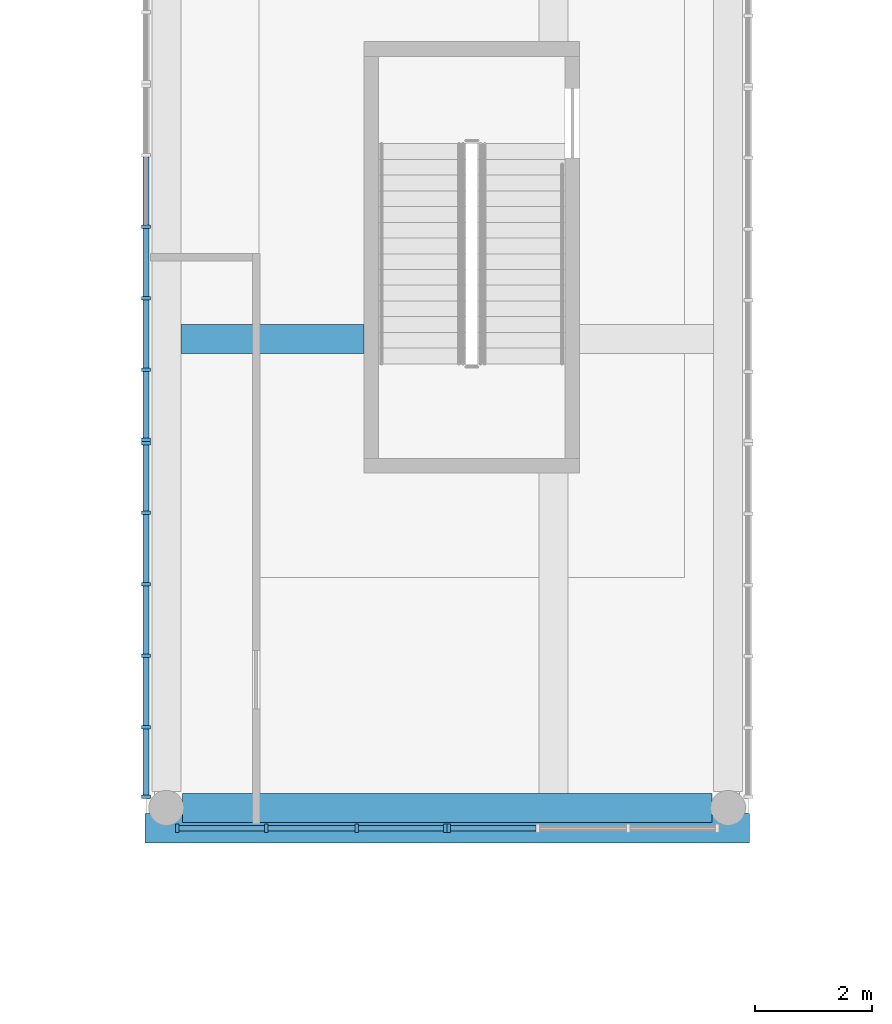
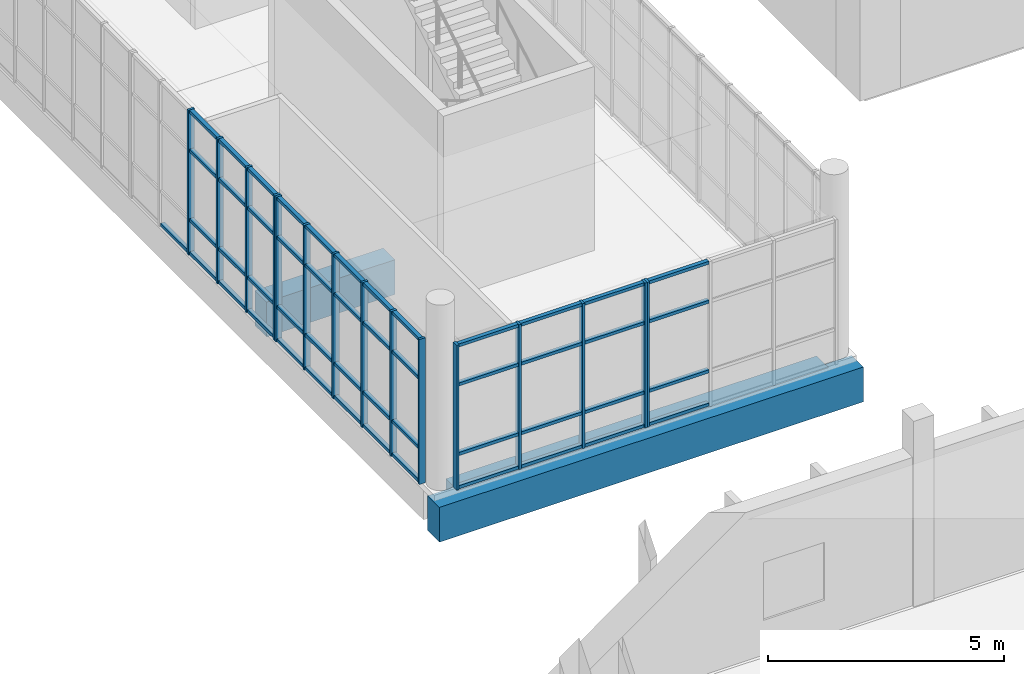
# One storey, part 5 of 119: 64 members, 3 beams, 4 elements without a shape of their own.
"""IFC4 building model written with IfcOpenShell, lengths in metres."""

from ifc_helpers import new_model, si_unit, direction, frame, origin, origin_2d, place, context, subcontext, project, spatial, rectangle, extrude, material, layer, layer_set, material_profile, profile_set, type_object, element, aggregate, save


model = new_model("IFC4")

# Units and contexts
model_context = context("Model", 3, precision=1e-05, world=origin(), true_north=direction((0.0, 1.0)))
body_context = subcontext(model_context, "Body", "Model", "MODEL_VIEW")
ifc_project = project(units=[si_unit("LENGTHUNIT", "METRE"), si_unit("AREAUNIT", "SQUARE_METRE"), si_unit("VOLUMEUNIT", "CUBIC_METRE"), si_unit("PLANEANGLEUNIT", "RADIAN"), si_unit("MASSUNIT", "GRAM", prefix="KILO")], contexts=[model_context])

# Site, building, storey
site_placement = place(None, origin())
site = spatial("IfcSite", under=ifc_project, at=site_placement, CompositionType="ELEMENT")
building_placement = place(site_placement, origin())
building = spatial("IfcBuilding", under=site, at=building_placement, Name="Larchfold Concert Hall", CompositionType="ELEMENT")
storey_placement = place(building_placement, frame((0.0, 0.0, 4.800048828125)))
storey = spatial("IfcBuildingStorey", under=building, at=storey_placement, Name="L01", CompositionType="ELEMENT", Elevation=4.800048828125)

# Curtain wall, members
ifc_material_1 = material(Name="Anodised graphite aluminium curtain wall", Category="aluminium")
ifc_layer = layer(ifc_material_1, 0.14990234375)
ifc_layer_set = layer_set([ifc_layer], Name="Anodised graphite aluminium curtain wall")
curtain_wall_type = type_object("IfcCurtainWallType", Name="Curtain wall WG", PredefinedType="NOTDEFINED", material=ifc_layer_set)
curtain_wall_1_placement = place(storey_placement, origin())
curtain_wall_1 = element("IfcCurtainWall", 1, at=curtain_wall_1_placement, inside=storey, type_object=curtain_wall_type, Name="Curtain wall CW0206", PredefinedType="NOTDEFINED")
ifc_material_2 = material(Name="Anodised graphite aluminium mullion", Category="aluminium")
ifc_material_profile_1 = material_profile(ifc_material_2, rectangle(XDim=0.14990234375, YDim=0.06005859375, at=origin_2d()))
ifc_profile_set_1 = profile_set([ifc_material_profile_1], Name="Anodised graphite aluminium mullion")
member_type_1 = type_object("IfcMemberType", Name="Aluminium mullion 60x150", PredefinedType="MULLION", material=ifc_profile_set_1)
member_1_placement = place(storey_placement, frame((10.408447265625, 44.521728515625, 0.0), z_axis=(0.0, 0.0, 1.0), x_axis=(1.0, 0.0, 0.0)))
member_1 = element("IfcMember", 2, at=member_1_placement, type_object=member_type_1, Name="CW0206 mullion 3", PredefinedType="MULLION", context=body_context, shape_type="SweptSolid", body=[
    extrude(rectangle(XDim=0.14990234375, YDim=0.06005859375, at=origin_2d()), origin(), (0.0, 0.0, 1.0), 3.75),
])
member_2_placement = place(storey_placement, frame((10.408447265625, 43.295166015625, 0.0), z_axis=(0.0, 0.0, 1.0), x_axis=(1.0, 0.0, 0.0)))
member_2 = element("IfcMember", 3, at=member_2_placement, type_object=member_type_1, Name="CW0206 mullion 4", PredefinedType="MULLION", context=body_context, shape_type="SweptSolid", body=[
    extrude(rectangle(XDim=0.14990234375, YDim=0.06005859375, at=origin_2d()), origin(), (0.0, 0.0, 1.0), 3.75),
])
member_3_placement = place(storey_placement, frame((10.408447265625, 42.068359375, 0.0), z_axis=(0.0, 0.0, 1.0), x_axis=(1.0, 0.0, 0.0)))
member_3 = element("IfcMember", 4, at=member_3_placement, type_object=member_type_1, Name="CW0206 mullion 5", PredefinedType="MULLION", context=body_context, shape_type="SweptSolid", body=[
    extrude(rectangle(XDim=0.14990234375, YDim=0.06005859375, at=origin_2d()), origin(), (0.0, 0.0, 1.0), 3.75),
])
member_4_placement = place(storey_placement, frame((10.408447265625, 40.871826171875, 0.0), z_axis=(0.0, 0.0, 1.0), x_axis=(1.0, 0.0, 0.0)))
member_4 = element("IfcMember", 5, at=member_4_placement, type_object=member_type_1, Name="CW0206 mullion 6", PredefinedType="MULLION", context=body_context, shape_type="SweptSolid", body=[
    extrude(rectangle(XDim=0.14990234375, YDim=0.06005859375, at=origin_2d()), origin(), (0.0, 0.0, 1.0), 3.75),
])

curtain_wall_2_placement = place(storey_placement, origin())
curtain_wall_2 = element("IfcCurtainWall", 6, at=curtain_wall_2_placement, inside=storey, type_object=curtain_wall_type, Name="Curtain wall CW0207", PredefinedType="NOTDEFINED")
member_5_placement = place(storey_placement, frame((10.408447265625, 40.811767578125, 0.0), z_axis=(0.0, 0.0, 1.0), x_axis=(1.0, 0.0, 0.0)))
member_5 = element("IfcMember", 7, at=member_5_placement, type_object=member_type_1, Name="CW0207 mullion 1", PredefinedType="MULLION", context=body_context, shape_type="SweptSolid", body=[
    extrude(rectangle(XDim=0.14990234375, YDim=0.06005859375, at=origin_2d()), origin(), (0.0, 0.0, 1.0), 3.75),
])
member_6_placement = place(storey_placement, frame((10.408447265625, 39.615234375, 0.0), z_axis=(0.0, 0.0, 1.0), x_axis=(1.0, 0.0, 0.0)))
member_6 = element("IfcMember", 8, at=member_6_placement, type_object=member_type_1, Name="CW0207 mullion 2", PredefinedType="MULLION", context=body_context, shape_type="SweptSolid", body=[
    extrude(rectangle(XDim=0.14990234375, YDim=0.06005859375, at=origin_2d()), origin(), (0.0, 0.0, 1.0), 3.75),
])
member_7_placement = place(storey_placement, frame((10.408447265625, 38.388671875, 0.0), z_axis=(0.0, 0.0, 1.0), x_axis=(1.0, 0.0, 0.0)))
member_7 = element("IfcMember", 9, at=member_7_placement, type_object=member_type_1, Name="CW0207 mullion 3", PredefinedType="MULLION", context=body_context, shape_type="SweptSolid", body=[
    extrude(rectangle(XDim=0.14990234375, YDim=0.06005859375, at=origin_2d()), origin(), (0.0, 0.0, 1.0), 3.75),
])
member_8_placement = place(storey_placement, frame((10.408447265625, 37.161865234375, 0.0), z_axis=(0.0, 0.0, 1.0), x_axis=(1.0, 0.0, 0.0)))
member_8 = element("IfcMember", 10, at=member_8_placement, type_object=member_type_1, Name="CW0207 mullion 4", PredefinedType="MULLION", context=body_context, shape_type="SweptSolid", body=[
    extrude(rectangle(XDim=0.14990234375, YDim=0.06005859375, at=origin_2d()), origin(), (0.0, 0.0, 1.0), 3.75),
])
member_9_placement = place(storey_placement, frame((10.408447265625, 35.935302734375, 0.0), z_axis=(0.0, 0.0, 1.0), x_axis=(1.0, 0.0, 0.0)))
member_9 = element("IfcMember", 11, at=member_9_placement, type_object=member_type_1, Name="CW0207 mullion 5", PredefinedType="MULLION", context=body_context, shape_type="SweptSolid", body=[
    extrude(rectangle(XDim=0.14990234375, YDim=0.06005859375, at=origin_2d()), origin(), (0.0, 0.0, 1.0), 3.75),
])
member_10_placement = place(storey_placement, frame((10.408447265625, 34.73876953125, 0.0), z_axis=(0.0, 0.0, 1.0), x_axis=(1.0, 0.0, 0.0)))
member_10 = element("IfcMember", 12, at=member_10_placement, type_object=member_type_1, Name="CW0207 mullion 6", PredefinedType="MULLION", context=body_context, shape_type="SweptSolid", body=[
    extrude(rectangle(XDim=0.14990234375, YDim=0.06005859375, at=origin_2d()), origin(), (0.0, 0.0, 1.0), 3.75),
])

curtain_wall_3_placement = place(storey_placement, origin())
curtain_wall_3 = element("IfcCurtainWall", 13, at=curtain_wall_3_placement, inside=storey, type_object=curtain_wall_type, Name="Curtain wall CW0208", PredefinedType="NOTDEFINED")
member_11_placement = place(storey_placement, frame((10.945556640625, 34.199951171875, 0.0), z_axis=(0.0, 0.0, 1.0), x_axis=(0.0, 1.0, 0.0)))
member_11 = element("IfcMember", 14, at=member_11_placement, type_object=member_type_1, Name="CW0208 mullion 1", PredefinedType="MULLION", context=body_context, shape_type="SweptSolid", body=[
    extrude(rectangle(XDim=0.14990234375, YDim=0.06005859375, at=origin_2d()), origin(), (0.0, 0.0, 1.0), 3.75),
])
member_12_placement = place(storey_placement, frame((12.469970703125, 34.199951171875, 0.0), z_axis=(0.0, 0.0, 1.0), x_axis=(0.0, 1.0, 0.0)))
member_12 = element("IfcMember", 15, at=member_12_placement, type_object=member_type_1, Name="CW0208 mullion 2", PredefinedType="MULLION", context=body_context, shape_type="SweptSolid", body=[
    extrude(rectangle(XDim=0.14990234375, YDim=0.06005859375, at=origin_2d()), origin(), (0.0, 0.0, 1.0), 3.75),
])
member_13_placement = place(storey_placement, frame((14.024169921875, 34.199951171875, 0.0), z_axis=(0.0, 0.0, 1.0), x_axis=(0.0, 1.0, 0.0)))
member_13 = element("IfcMember", 16, at=member_13_placement, type_object=member_type_1, Name="CW0208 mullion 3", PredefinedType="MULLION", context=body_context, shape_type="SweptSolid", body=[
    extrude(rectangle(XDim=0.14990234375, YDim=0.06005859375, at=origin_2d()), origin(), (0.0, 0.0, 1.0), 3.75),
])
member_14_placement = place(storey_placement, frame((15.548583984375, 34.199951171875, 0.0), z_axis=(0.0, 0.0, 1.0), x_axis=(0.0, 1.0, 0.0)))
member_14 = element("IfcMember", 17, at=member_14_placement, type_object=member_type_1, Name="CW0208 mullion 4", PredefinedType="MULLION", context=body_context, shape_type="SweptSolid", body=[
    extrude(rectangle(XDim=0.14990234375, YDim=0.06005859375, at=origin_2d()), origin(), (0.0, 0.0, 1.0), 3.75),
])

# Curtain wall, member
curtain_wall_4_placement = place(storey_placement, origin())
curtain_wall_4 = element("IfcCurtainWall", 18, at=curtain_wall_4_placement, inside=storey, type_object=curtain_wall_type, Name="Curtain wall CW0209", PredefinedType="NOTDEFINED")
member_15_placement = place(storey_placement, frame((15.608642578125, 34.199951171875, 0.0), z_axis=(0.0, 0.0, 1.0), x_axis=(0.0, 1.0, 0.0)))
member_15 = element("IfcMember", 19, at=member_15_placement, type_object=member_type_1, Name="CW0209 mullion 1", PredefinedType="MULLION", context=body_context, shape_type="SweptSolid", body=[
    extrude(rectangle(XDim=0.14990234375, YDim=0.06005859375, at=origin_2d()), origin(), (0.0, 0.0, 1.0), 3.75),
])

# Member
ifc_material_3 = material(Name="Anodised graphite aluminium transom", Category="aluminium")
ifc_material_profile_2 = material_profile(ifc_material_3, rectangle(XDim=0.10009765625, YDim=0.080078125, at=origin_2d()))
ifc_profile_set_2 = profile_set([ifc_material_profile_2], Name="Anodised graphite aluminium transom")
member_type_2 = type_object("IfcMemberType", Name="Aluminium transom 80x100", PredefinedType="USERDEFINED", material=ifc_profile_set_2)
member_16_placement = place(storey_placement, frame((10.408447265625, 45.718505859375, 0.0400390625), z_axis=(0.0, -1.0, 0.0), x_axis=(1.0, 0.0, 0.0)))
member_16 = element("IfcMember", 20, at=member_16_placement, type_object=member_type_2, Name="CW0206 transom 2.1", ObjectType="TRANSOM", PredefinedType="USERDEFINED", context=body_context, shape_type="SweptSolid", body=[
    extrude(rectangle(XDim=0.10009765625, YDim=0.080078125, at=origin_2d()), origin(), (0.0, 0.0, 1.0), 1.166748046875),
])

member_17_placement = place(storey_placement, frame((10.408447265625, 44.49169921875, 0.0400390625), z_axis=(0.0, -1.0, 0.0), x_axis=(1.0, 0.0, 0.0)))
member_17 = element("IfcMember", 21, at=member_17_placement, type_object=member_type_2, Name="CW0206 transom 3.1", ObjectType="TRANSOM", PredefinedType="USERDEFINED", context=body_context, shape_type="SweptSolid", body=[
    extrude(rectangle(XDim=0.10009765625, YDim=0.080078125, at=origin_2d()), origin(), (0.0, 0.0, 1.0), 1.16650390625),
])

member_18_placement = place(storey_placement, frame((10.408447265625, 44.49169921875, 0.89990234375), z_axis=(0.0, -1.0, 0.0), x_axis=(1.0, 0.0, 0.0)))
member_18 = element("IfcMember", 22, at=member_18_placement, type_object=member_type_2, Name="CW0206 transom 3.2", ObjectType="TRANSOM", PredefinedType="USERDEFINED", context=body_context, shape_type="SweptSolid", body=[
    extrude(rectangle(XDim=0.10009765625, YDim=0.080078125, at=origin_2d()), origin(), (0.0, 0.0, 1.0), 1.16650390625),
])

member_19_placement = place(storey_placement, frame((10.408447265625, 44.49169921875, 2.699951171875), z_axis=(0.0, -1.0, 0.0), x_axis=(1.0, 0.0, 0.0)))
member_19 = element("IfcMember", 23, at=member_19_placement, type_object=member_type_2, Name="CW0206 transom 3.3", ObjectType="TRANSOM", PredefinedType="USERDEFINED", context=body_context, shape_type="SweptSolid", body=[
    extrude(rectangle(XDim=0.10009765625, YDim=0.080078125, at=origin_2d()), origin(), (0.0, 0.0, 1.0), 1.16650390625),
])

member_20_placement = place(storey_placement, frame((10.408447265625, 44.49169921875, 3.7099609375), z_axis=(0.0, -1.0, 0.0), x_axis=(1.0, 0.0, 0.0)))
member_20 = element("IfcMember", 24, at=member_20_placement, type_object=member_type_2, Name="CW0206 transom 3.4", ObjectType="TRANSOM", PredefinedType="USERDEFINED", context=body_context, shape_type="SweptSolid", body=[
    extrude(rectangle(XDim=0.10009765625, YDim=0.080078125, at=origin_2d()), origin(), (0.0, 0.0, 1.0), 1.16650390625),
])

member_21_placement = place(storey_placement, frame((10.408447265625, 43.26513671875, 0.0400390625), z_axis=(0.0, -1.0, 0.0), x_axis=(1.0, 0.0, 0.0)))
member_21 = element("IfcMember", 25, at=member_21_placement, type_object=member_type_2, Name="CW0206 transom 4.1", ObjectType="TRANSOM", PredefinedType="USERDEFINED", context=body_context, shape_type="SweptSolid", body=[
    extrude(rectangle(XDim=0.10009765625, YDim=0.080078125, at=origin_2d()), origin(), (0.0, 0.0, 1.0), 1.166748046875),
])

member_22_placement = place(storey_placement, frame((10.408447265625, 43.26513671875, 0.89990234375), z_axis=(0.0, -1.0, 0.0), x_axis=(1.0, 0.0, 0.0)))
member_22 = element("IfcMember", 26, at=member_22_placement, type_object=member_type_2, Name="CW0206 transom 4.2", ObjectType="TRANSOM", PredefinedType="USERDEFINED", context=body_context, shape_type="SweptSolid", body=[
    extrude(rectangle(XDim=0.10009765625, YDim=0.080078125, at=origin_2d()), origin(), (0.0, 0.0, 1.0), 1.166748046875),
])

member_23_placement = place(storey_placement, frame((10.408447265625, 43.26513671875, 2.699951171875), z_axis=(0.0, -1.0, 0.0), x_axis=(1.0, 0.0, 0.0)))
member_23 = element("IfcMember", 27, at=member_23_placement, type_object=member_type_2, Name="CW0206 transom 4.3", ObjectType="TRANSOM", PredefinedType="USERDEFINED", context=body_context, shape_type="SweptSolid", body=[
    extrude(rectangle(XDim=0.10009765625, YDim=0.080078125, at=origin_2d()), origin(), (0.0, 0.0, 1.0), 1.166748046875),
])

member_24_placement = place(storey_placement, frame((10.408447265625, 43.26513671875, 3.7099609375), z_axis=(0.0, -1.0, 0.0), x_axis=(1.0, 0.0, 0.0)))
member_24 = element("IfcMember", 28, at=member_24_placement, type_object=member_type_2, Name="CW0206 transom 4.4", ObjectType="TRANSOM", PredefinedType="USERDEFINED", context=body_context, shape_type="SweptSolid", body=[
    extrude(rectangle(XDim=0.10009765625, YDim=0.080078125, at=origin_2d()), origin(), (0.0, 0.0, 1.0), 1.166748046875),
])

member_25_placement = place(storey_placement, frame((10.408447265625, 42.03857421875, 0.0400390625), z_axis=(0.0, -1.0, 0.0), x_axis=(1.0, 0.0, 0.0)))
member_25 = element("IfcMember", 29, at=member_25_placement, type_object=member_type_2, Name="CW0206 transom 5.1", ObjectType="TRANSOM", PredefinedType="USERDEFINED", context=body_context, shape_type="SweptSolid", body=[
    extrude(rectangle(XDim=0.10009765625, YDim=0.080078125, at=origin_2d()), origin(), (0.0, 0.0, 1.0), 1.13671875),
])

member_26_placement = place(storey_placement, frame((10.408447265625, 42.03857421875, 0.89990234375), z_axis=(0.0, -1.0, 0.0), x_axis=(1.0, 0.0, 0.0)))
member_26 = element("IfcMember", 30, at=member_26_placement, type_object=member_type_2, Name="CW0206 transom 5.2", ObjectType="TRANSOM", PredefinedType="USERDEFINED", context=body_context, shape_type="SweptSolid", body=[
    extrude(rectangle(XDim=0.10009765625, YDim=0.080078125, at=origin_2d()), origin(), (0.0, 0.0, 1.0), 1.13671875),
])

member_27_placement = place(storey_placement, frame((10.408447265625, 42.03857421875, 2.699951171875), z_axis=(0.0, -1.0, 0.0), x_axis=(1.0, 0.0, 0.0)))
member_27 = element("IfcMember", 31, at=member_27_placement, type_object=member_type_2, Name="CW0206 transom 5.3", ObjectType="TRANSOM", PredefinedType="USERDEFINED", context=body_context, shape_type="SweptSolid", body=[
    extrude(rectangle(XDim=0.10009765625, YDim=0.080078125, at=origin_2d()), origin(), (0.0, 0.0, 1.0), 1.13671875),
])

member_28_placement = place(storey_placement, frame((10.408447265625, 42.03857421875, 3.7099609375), z_axis=(0.0, -1.0, 0.0), x_axis=(1.0, 0.0, 0.0)))
member_28 = element("IfcMember", 32, at=member_28_placement, type_object=member_type_2, Name="CW0206 transom 5.4", ObjectType="TRANSOM", PredefinedType="USERDEFINED", context=body_context, shape_type="SweptSolid", body=[
    extrude(rectangle(XDim=0.10009765625, YDim=0.080078125, at=origin_2d()), origin(), (0.0, 0.0, 1.0), 1.13671875),
])

aggregate(curtain_wall_1, [member_1, member_2, member_3, member_4, member_16, member_17, member_18, member_19, member_20, member_21, member_22, member_23, member_24, member_25, member_26, member_27, member_28])

member_29_placement = place(storey_placement, frame((10.408447265625, 40.78173828125, 0.0400390625), z_axis=(0.0, -1.0, 0.0), x_axis=(1.0, 0.0, 0.0)))
member_29 = element("IfcMember", 33, at=member_29_placement, type_object=member_type_2, Name="CW0207 transom 1.1", ObjectType="TRANSOM", PredefinedType="USERDEFINED", context=body_context, shape_type="SweptSolid", body=[
    extrude(rectangle(XDim=0.10009765625, YDim=0.080078125, at=origin_2d()), origin(), (0.0, 0.0, 1.0), 1.136474609375),
])

member_30_placement = place(storey_placement, frame((10.408447265625, 40.78173828125, 0.89990234375), z_axis=(0.0, -1.0, 0.0), x_axis=(1.0, 0.0, 0.0)))
member_30 = element("IfcMember", 34, at=member_30_placement, type_object=member_type_2, Name="CW0207 transom 1.2", ObjectType="TRANSOM", PredefinedType="USERDEFINED", context=body_context, shape_type="SweptSolid", body=[
    extrude(rectangle(XDim=0.10009765625, YDim=0.080078125, at=origin_2d()), origin(), (0.0, 0.0, 1.0), 1.136474609375),
])

member_31_placement = place(storey_placement, frame((10.408447265625, 40.78173828125, 2.699951171875), z_axis=(0.0, -1.0, 0.0), x_axis=(1.0, 0.0, 0.0)))
member_31 = element("IfcMember", 35, at=member_31_placement, type_object=member_type_2, Name="CW0207 transom 1.3", ObjectType="TRANSOM", PredefinedType="USERDEFINED", context=body_context, shape_type="SweptSolid", body=[
    extrude(rectangle(XDim=0.10009765625, YDim=0.080078125, at=origin_2d()), origin(), (0.0, 0.0, 1.0), 1.136474609375),
])

member_32_placement = place(storey_placement, frame((10.408447265625, 40.78173828125, 3.7099609375), z_axis=(0.0, -1.0, 0.0), x_axis=(1.0, 0.0, 0.0)))
member_32 = element("IfcMember", 36, at=member_32_placement, type_object=member_type_2, Name="CW0207 transom 1.4", ObjectType="TRANSOM", PredefinedType="USERDEFINED", context=body_context, shape_type="SweptSolid", body=[
    extrude(rectangle(XDim=0.10009765625, YDim=0.080078125, at=origin_2d()), origin(), (0.0, 0.0, 1.0), 1.136474609375),
])

member_33_placement = place(storey_placement, frame((10.408447265625, 39.585205078125, 0.0400390625), z_axis=(0.0, -1.0, 0.0), x_axis=(1.0, 0.0, 0.0)))
member_33 = element("IfcMember", 37, at=member_33_placement, type_object=member_type_2, Name="CW0207 transom 2.1", ObjectType="TRANSOM", PredefinedType="USERDEFINED", context=body_context, shape_type="SweptSolid", body=[
    extrude(rectangle(XDim=0.10009765625, YDim=0.080078125, at=origin_2d()), origin(), (0.0, 0.0, 1.0), 1.166748046875),
])

member_34_placement = place(storey_placement, frame((10.408447265625, 39.585205078125, 0.89990234375), z_axis=(0.0, -1.0, 0.0), x_axis=(1.0, 0.0, 0.0)))
member_34 = element("IfcMember", 38, at=member_34_placement, type_object=member_type_2, Name="CW0207 transom 2.2", ObjectType="TRANSOM", PredefinedType="USERDEFINED", context=body_context, shape_type="SweptSolid", body=[
    extrude(rectangle(XDim=0.10009765625, YDim=0.080078125, at=origin_2d()), origin(), (0.0, 0.0, 1.0), 1.166748046875),
])

member_35_placement = place(storey_placement, frame((10.408447265625, 39.585205078125, 2.699951171875), z_axis=(0.0, -1.0, 0.0), x_axis=(1.0, 0.0, 0.0)))
member_35 = element("IfcMember", 39, at=member_35_placement, type_object=member_type_2, Name="CW0207 transom 2.3", ObjectType="TRANSOM", PredefinedType="USERDEFINED", context=body_context, shape_type="SweptSolid", body=[
    extrude(rectangle(XDim=0.10009765625, YDim=0.080078125, at=origin_2d()), origin(), (0.0, 0.0, 1.0), 1.166748046875),
])

member_36_placement = place(storey_placement, frame((10.408447265625, 39.585205078125, 3.7099609375), z_axis=(0.0, -1.0, 0.0), x_axis=(1.0, 0.0, 0.0)))
member_36 = element("IfcMember", 40, at=member_36_placement, type_object=member_type_2, Name="CW0207 transom 2.4", ObjectType="TRANSOM", PredefinedType="USERDEFINED", context=body_context, shape_type="SweptSolid", body=[
    extrude(rectangle(XDim=0.10009765625, YDim=0.080078125, at=origin_2d()), origin(), (0.0, 0.0, 1.0), 1.166748046875),
])

member_37_placement = place(storey_placement, frame((10.408447265625, 38.358642578125, 0.0400390625), z_axis=(0.0, -1.0, 0.0), x_axis=(1.0, 0.0, 0.0)))
member_37 = element("IfcMember", 41, at=member_37_placement, type_object=member_type_2, Name="CW0207 transom 3.1", ObjectType="TRANSOM", PredefinedType="USERDEFINED", context=body_context, shape_type="SweptSolid", body=[
    extrude(rectangle(XDim=0.10009765625, YDim=0.080078125, at=origin_2d()), origin(), (0.0, 0.0, 1.0), 1.166748046875),
])

member_38_placement = place(storey_placement, frame((10.408447265625, 38.358642578125, 0.89990234375), z_axis=(0.0, -1.0, 0.0), x_axis=(1.0, 0.0, 0.0)))
member_38 = element("IfcMember", 42, at=member_38_placement, type_object=member_type_2, Name="CW0207 transom 3.2", ObjectType="TRANSOM", PredefinedType="USERDEFINED", context=body_context, shape_type="SweptSolid", body=[
    extrude(rectangle(XDim=0.10009765625, YDim=0.080078125, at=origin_2d()), origin(), (0.0, 0.0, 1.0), 1.166748046875),
])

member_39_placement = place(storey_placement, frame((10.408447265625, 38.358642578125, 2.699951171875), z_axis=(0.0, -1.0, 0.0), x_axis=(1.0, 0.0, 0.0)))
member_39 = element("IfcMember", 43, at=member_39_placement, type_object=member_type_2, Name="CW0207 transom 3.3", ObjectType="TRANSOM", PredefinedType="USERDEFINED", context=body_context, shape_type="SweptSolid", body=[
    extrude(rectangle(XDim=0.10009765625, YDim=0.080078125, at=origin_2d()), origin(), (0.0, 0.0, 1.0), 1.166748046875),
])

member_40_placement = place(storey_placement, frame((10.408447265625, 38.358642578125, 3.7099609375), z_axis=(0.0, -1.0, 0.0), x_axis=(1.0, 0.0, 0.0)))
member_40 = element("IfcMember", 44, at=member_40_placement, type_object=member_type_2, Name="CW0207 transom 3.4", ObjectType="TRANSOM", PredefinedType="USERDEFINED", context=body_context, shape_type="SweptSolid", body=[
    extrude(rectangle(XDim=0.10009765625, YDim=0.080078125, at=origin_2d()), origin(), (0.0, 0.0, 1.0), 1.166748046875),
])

member_41_placement = place(storey_placement, frame((10.408447265625, 37.132080078125, 0.0400390625), z_axis=(0.0, -1.0, 0.0), x_axis=(1.0, 0.0, 0.0)))
member_41 = element("IfcMember", 45, at=member_41_placement, type_object=member_type_2, Name="CW0207 transom 4.1", ObjectType="TRANSOM", PredefinedType="USERDEFINED", context=body_context, shape_type="SweptSolid", body=[
    extrude(rectangle(XDim=0.10009765625, YDim=0.080078125, at=origin_2d()), origin(), (0.0, 0.0, 1.0), 1.166748046875),
])

member_42_placement = place(storey_placement, frame((10.408447265625, 37.132080078125, 0.89990234375), z_axis=(0.0, -1.0, 0.0), x_axis=(1.0, 0.0, 0.0)))
member_42 = element("IfcMember", 46, at=member_42_placement, type_object=member_type_2, Name="CW0207 transom 4.2", ObjectType="TRANSOM", PredefinedType="USERDEFINED", context=body_context, shape_type="SweptSolid", body=[
    extrude(rectangle(XDim=0.10009765625, YDim=0.080078125, at=origin_2d()), origin(), (0.0, 0.0, 1.0), 1.166748046875),
])

member_43_placement = place(storey_placement, frame((10.408447265625, 37.132080078125, 2.699951171875), z_axis=(0.0, -1.0, 0.0), x_axis=(1.0, 0.0, 0.0)))
member_43 = element("IfcMember", 47, at=member_43_placement, type_object=member_type_2, Name="CW0207 transom 4.3", ObjectType="TRANSOM", PredefinedType="USERDEFINED", context=body_context, shape_type="SweptSolid", body=[
    extrude(rectangle(XDim=0.10009765625, YDim=0.080078125, at=origin_2d()), origin(), (0.0, 0.0, 1.0), 1.166748046875),
])

member_44_placement = place(storey_placement, frame((10.408447265625, 37.132080078125, 3.7099609375), z_axis=(0.0, -1.0, 0.0), x_axis=(1.0, 0.0, 0.0)))
member_44 = element("IfcMember", 48, at=member_44_placement, type_object=member_type_2, Name="CW0207 transom 4.4", ObjectType="TRANSOM", PredefinedType="USERDEFINED", context=body_context, shape_type="SweptSolid", body=[
    extrude(rectangle(XDim=0.10009765625, YDim=0.080078125, at=origin_2d()), origin(), (0.0, 0.0, 1.0), 1.166748046875),
])

member_45_placement = place(storey_placement, frame((10.408447265625, 35.9052734375, 0.0400390625), z_axis=(0.0, -1.0, 0.0), x_axis=(1.0, 0.0, 0.0)))
member_45 = element("IfcMember", 49, at=member_45_placement, type_object=member_type_2, Name="CW0207 transom 5.1", ObjectType="TRANSOM", PredefinedType="USERDEFINED", context=body_context, shape_type="SweptSolid", body=[
    extrude(rectangle(XDim=0.10009765625, YDim=0.080078125, at=origin_2d()), origin(), (0.0, 0.0, 1.0), 1.136474609375),
])

member_46_placement = place(storey_placement, frame((10.408447265625, 35.9052734375, 0.89990234375), z_axis=(0.0, -1.0, 0.0), x_axis=(1.0, 0.0, 0.0)))
member_46 = element("IfcMember", 50, at=member_46_placement, type_object=member_type_2, Name="CW0207 transom 5.2", ObjectType="TRANSOM", PredefinedType="USERDEFINED", context=body_context, shape_type="SweptSolid", body=[
    extrude(rectangle(XDim=0.10009765625, YDim=0.080078125, at=origin_2d()), origin(), (0.0, 0.0, 1.0), 1.136474609375),
])

member_47_placement = place(storey_placement, frame((10.408447265625, 35.9052734375, 2.699951171875), z_axis=(0.0, -1.0, 0.0), x_axis=(1.0, 0.0, 0.0)))
member_47 = element("IfcMember", 51, at=member_47_placement, type_object=member_type_2, Name="CW0207 transom 5.3", ObjectType="TRANSOM", PredefinedType="USERDEFINED", context=body_context, shape_type="SweptSolid", body=[
    extrude(rectangle(XDim=0.10009765625, YDim=0.080078125, at=origin_2d()), origin(), (0.0, 0.0, 1.0), 1.136474609375),
])

member_48_placement = place(storey_placement, frame((10.408447265625, 35.9052734375, 3.7099609375), z_axis=(0.0, -1.0, 0.0), x_axis=(1.0, 0.0, 0.0)))
member_48 = element("IfcMember", 52, at=member_48_placement, type_object=member_type_2, Name="CW0207 transom 5.4", ObjectType="TRANSOM", PredefinedType="USERDEFINED", context=body_context, shape_type="SweptSolid", body=[
    extrude(rectangle(XDim=0.10009765625, YDim=0.080078125, at=origin_2d()), origin(), (0.0, 0.0, 1.0), 1.136474609375),
])

aggregate(curtain_wall_2, [member_5, member_6, member_7, member_8, member_9, member_10, member_29, member_30, member_31, member_32, member_33, member_34, member_35, member_36, member_37, member_38, member_39, member_40, member_41, member_42, member_43, member_44, member_45, member_46, member_47, member_48])

member_49_placement = place(storey_placement, frame((10.9755859375, 34.199951171875, 0.0400390625), z_axis=(1.0, 0.0, 0.0), x_axis=(0.0, 1.0, 0.0)))
member_49 = element("IfcMember", 53, at=member_49_placement, type_object=member_type_2, Name="CW0208 transom 1.1", ObjectType="TRANSOM", PredefinedType="USERDEFINED", context=body_context, shape_type="SweptSolid", body=[
    extrude(rectangle(XDim=0.10009765625, YDim=0.080078125, at=origin_2d()), origin(), (0.0, 0.0, 1.0), 1.46435546875),
])

member_50_placement = place(storey_placement, frame((10.9755859375, 34.199951171875, 0.89990234375), z_axis=(1.0, 0.0, 0.0), x_axis=(0.0, 1.0, 0.0)))
member_50 = element("IfcMember", 54, at=member_50_placement, type_object=member_type_2, Name="CW0208 transom 1.2", ObjectType="TRANSOM", PredefinedType="USERDEFINED", context=body_context, shape_type="SweptSolid", body=[
    extrude(rectangle(XDim=0.10009765625, YDim=0.080078125, at=origin_2d()), origin(), (0.0, 0.0, 1.0), 1.46435546875),
])

member_51_placement = place(storey_placement, frame((10.9755859375, 34.199951171875, 2.699951171875), z_axis=(1.0, 0.0, 0.0), x_axis=(0.0, 1.0, 0.0)))
member_51 = element("IfcMember", 55, at=member_51_placement, type_object=member_type_2, Name="CW0208 transom 1.3", ObjectType="TRANSOM", PredefinedType="USERDEFINED", context=body_context, shape_type="SweptSolid", body=[
    extrude(rectangle(XDim=0.10009765625, YDim=0.080078125, at=origin_2d()), origin(), (0.0, 0.0, 1.0), 1.46435546875),
])

member_52_placement = place(storey_placement, frame((10.9755859375, 34.199951171875, 3.7099609375), z_axis=(1.0, 0.0, 0.0), x_axis=(0.0, 1.0, 0.0)))
member_52 = element("IfcMember", 56, at=member_52_placement, type_object=member_type_2, Name="CW0208 transom 1.4", ObjectType="TRANSOM", PredefinedType="USERDEFINED", context=body_context, shape_type="SweptSolid", body=[
    extrude(rectangle(XDim=0.10009765625, YDim=0.080078125, at=origin_2d()), origin(), (0.0, 0.0, 1.0), 1.46435546875),
])

member_53_placement = place(storey_placement, frame((12.5, 34.199951171875, 0.0400390625), z_axis=(1.0, 0.0, 0.0), x_axis=(0.0, 1.0, 0.0)))
member_53 = element("IfcMember", 57, at=member_53_placement, type_object=member_type_2, Name="CW0208 transom 2.1", ObjectType="TRANSOM", PredefinedType="USERDEFINED", context=body_context, shape_type="SweptSolid", body=[
    extrude(rectangle(XDim=0.10009765625, YDim=0.080078125, at=origin_2d()), origin(), (0.0, 0.0, 1.0), 1.494140625),
])

member_54_placement = place(storey_placement, frame((12.5, 34.199951171875, 0.89990234375), z_axis=(1.0, 0.0, 0.0), x_axis=(0.0, 1.0, 0.0)))
member_54 = element("IfcMember", 58, at=member_54_placement, type_object=member_type_2, Name="CW0208 transom 2.2", ObjectType="TRANSOM", PredefinedType="USERDEFINED", context=body_context, shape_type="SweptSolid", body=[
    extrude(rectangle(XDim=0.10009765625, YDim=0.080078125, at=origin_2d()), origin(), (0.0, 0.0, 1.0), 1.494140625),
])

member_55_placement = place(storey_placement, frame((12.5, 34.199951171875, 2.699951171875), z_axis=(1.0, 0.0, 0.0), x_axis=(0.0, 1.0, 0.0)))
member_55 = element("IfcMember", 59, at=member_55_placement, type_object=member_type_2, Name="CW0208 transom 2.3", ObjectType="TRANSOM", PredefinedType="USERDEFINED", context=body_context, shape_type="SweptSolid", body=[
    extrude(rectangle(XDim=0.10009765625, YDim=0.080078125, at=origin_2d()), origin(), (0.0, 0.0, 1.0), 1.494140625),
])

member_56_placement = place(storey_placement, frame((12.5, 34.199951171875, 3.7099609375), z_axis=(1.0, 0.0, 0.0), x_axis=(0.0, 1.0, 0.0)))
member_56 = element("IfcMember", 60, at=member_56_placement, type_object=member_type_2, Name="CW0208 transom 2.4", ObjectType="TRANSOM", PredefinedType="USERDEFINED", context=body_context, shape_type="SweptSolid", body=[
    extrude(rectangle(XDim=0.10009765625, YDim=0.080078125, at=origin_2d()), origin(), (0.0, 0.0, 1.0), 1.494140625),
])

member_57_placement = place(storey_placement, frame((14.05419921875, 34.199951171875, 0.0400390625), z_axis=(1.0, 0.0, 0.0), x_axis=(0.0, 1.0, 0.0)))
member_57 = element("IfcMember", 61, at=member_57_placement, type_object=member_type_2, Name="CW0208 transom 3.1", ObjectType="TRANSOM", PredefinedType="USERDEFINED", context=body_context, shape_type="SweptSolid", body=[
    extrude(rectangle(XDim=0.10009765625, YDim=0.080078125, at=origin_2d()), origin(), (0.0, 0.0, 1.0), 1.46435546875),
])

member_58_placement = place(storey_placement, frame((14.05419921875, 34.199951171875, 0.89990234375), z_axis=(1.0, 0.0, 0.0), x_axis=(0.0, 1.0, 0.0)))
member_58 = element("IfcMember", 62, at=member_58_placement, type_object=member_type_2, Name="CW0208 transom 3.2", ObjectType="TRANSOM", PredefinedType="USERDEFINED", context=body_context, shape_type="SweptSolid", body=[
    extrude(rectangle(XDim=0.10009765625, YDim=0.080078125, at=origin_2d()), origin(), (0.0, 0.0, 1.0), 1.46435546875),
])

member_59_placement = place(storey_placement, frame((14.05419921875, 34.199951171875, 2.699951171875), z_axis=(1.0, 0.0, 0.0), x_axis=(0.0, 1.0, 0.0)))
member_59 = element("IfcMember", 63, at=member_59_placement, type_object=member_type_2, Name="CW0208 transom 3.3", ObjectType="TRANSOM", PredefinedType="USERDEFINED", context=body_context, shape_type="SweptSolid", body=[
    extrude(rectangle(XDim=0.10009765625, YDim=0.080078125, at=origin_2d()), origin(), (0.0, 0.0, 1.0), 1.46435546875),
])

member_60_placement = place(storey_placement, frame((14.05419921875, 34.199951171875, 3.7099609375), z_axis=(1.0, 0.0, 0.0), x_axis=(0.0, 1.0, 0.0)))
member_60 = element("IfcMember", 64, at=member_60_placement, type_object=member_type_2, Name="CW0208 transom 3.4", ObjectType="TRANSOM", PredefinedType="USERDEFINED", context=body_context, shape_type="SweptSolid", body=[
    extrude(rectangle(XDim=0.10009765625, YDim=0.080078125, at=origin_2d()), origin(), (0.0, 0.0, 1.0), 1.46435546875),
])

aggregate(curtain_wall_3, [member_11, member_12, member_13, member_14, member_49, member_50, member_51, member_52, member_53, member_54, member_55, member_56, member_57, member_58, member_59, member_60])

member_61_placement = place(storey_placement, frame((15.638671875, 34.199951171875, 0.0400390625), z_axis=(1.0, 0.0, 0.0), x_axis=(0.0, 1.0, 0.0)))
member_61 = element("IfcMember", 65, at=member_61_placement, type_object=member_type_2, Name="CW0209 transom 1.1", ObjectType="TRANSOM", PredefinedType="USERDEFINED", context=body_context, shape_type="SweptSolid", body=[
    extrude(rectangle(XDim=0.10009765625, YDim=0.080078125, at=origin_2d()), origin(), (0.0, 0.0, 1.0), 1.464111328125),
])

member_62_placement = place(storey_placement, frame((15.638671875, 34.199951171875, 0.89990234375), z_axis=(1.0, 0.0, 0.0), x_axis=(0.0, 1.0, 0.0)))
member_62 = element("IfcMember", 66, at=member_62_placement, type_object=member_type_2, Name="CW0209 transom 1.2", ObjectType="TRANSOM", PredefinedType="USERDEFINED", context=body_context, shape_type="SweptSolid", body=[
    extrude(rectangle(XDim=0.10009765625, YDim=0.080078125, at=origin_2d()), origin(), (0.0, 0.0, 1.0), 1.464111328125),
])

member_63_placement = place(storey_placement, frame((15.638671875, 34.199951171875, 2.699951171875), z_axis=(1.0, 0.0, 0.0), x_axis=(0.0, 1.0, 0.0)))
member_63 = element("IfcMember", 67, at=member_63_placement, type_object=member_type_2, Name="CW0209 transom 1.3", ObjectType="TRANSOM", PredefinedType="USERDEFINED", context=body_context, shape_type="SweptSolid", body=[
    extrude(rectangle(XDim=0.10009765625, YDim=0.080078125, at=origin_2d()), origin(), (0.0, 0.0, 1.0), 1.464111328125),
])

member_64_placement = place(storey_placement, frame((15.638671875, 34.199951171875, 3.7099609375), z_axis=(1.0, 0.0, 0.0), x_axis=(0.0, 1.0, 0.0)))
member_64 = element("IfcMember", 68, at=member_64_placement, type_object=member_type_2, Name="CW0209 transom 1.4", ObjectType="TRANSOM", PredefinedType="USERDEFINED", context=body_context, shape_type="SweptSolid", body=[
    extrude(rectangle(XDim=0.10009765625, YDim=0.080078125, at=origin_2d()), origin(), (0.0, 0.0, 1.0), 1.464111328125),
])

aggregate(curtain_wall_4, [member_15, member_61, member_62, member_63, member_64])

# Beams
ifc_material_4 = material(Name="Concrete C35/45", Category="concrete")
ifc_material_profile_3 = material_profile(ifc_material_4, rectangle(XDim=0.5, YDim=0.89990234375, at=origin_2d()))
ifc_profile_set_3 = profile_set([ifc_material_profile_3], Name="Concrete C35/45")
beam_type = type_object("IfcBeamType", Name="Beam RC 500x900", PredefinedType="BEAM", material=ifc_profile_set_3)
beam_1_placement = place(storey_placement, frame((20.118896484375, 34.550048828125, -0.60009765625), z_axis=(-1.0, 0.0, 0.0), x_axis=(0.0, -1.0, 0.0)))
element("IfcBeam", 69, at=beam_1_placement, inside=storey, type_object=beam_type, Name="Beam B1867", PredefinedType="BEAM", context=body_context, shape_type="SweptSolid", body=[
    extrude(rectangle(XDim=0.5, YDim=0.89990234375, at=origin_2d()), origin(), (0.0, 0.0, 1.0), 9.080810546875),
])
beam_2_placement = place(storey_placement, frame((10.388427734375, 34.199951171875, -0.60009765625), z_axis=(1.0, 0.0, 0.0), x_axis=(0.0, 1.0, 0.0)))
element("IfcBeam", 70, at=beam_2_placement, inside=storey, type_object=beam_type, Name="Beam B1913", PredefinedType="BEAM", context=body_context, shape_type="SweptSolid", body=[
    extrude(rectangle(XDim=0.5, YDim=0.89990234375, at=origin_2d()), origin(), (0.0, 0.0, 1.0), 10.38037109375),
])
beam_3_placement = place(storey_placement, frame((11.008056640625, 42.60009765625, -0.60009765625), z_axis=(1.0, 0.0, 0.0), x_axis=(0.0, 1.0, 0.0)))
element("IfcBeam", 71, at=beam_3_placement, inside=storey, type_object=beam_type, Name="Beam B1914", PredefinedType="BEAM", context=body_context, shape_type="SweptSolid", body=[
    extrude(rectangle(XDim=0.5, YDim=0.89990234375, at=origin_2d()), origin(), (0.0, 0.0, 1.0), 3.141845703125),
])

save(model, "model.ifc")
